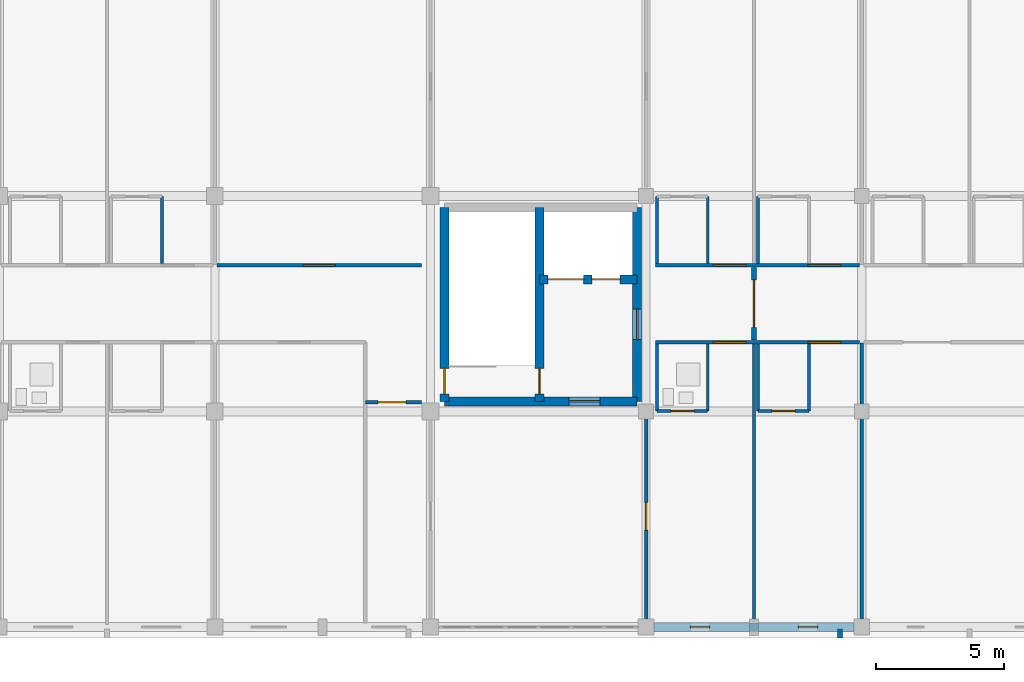
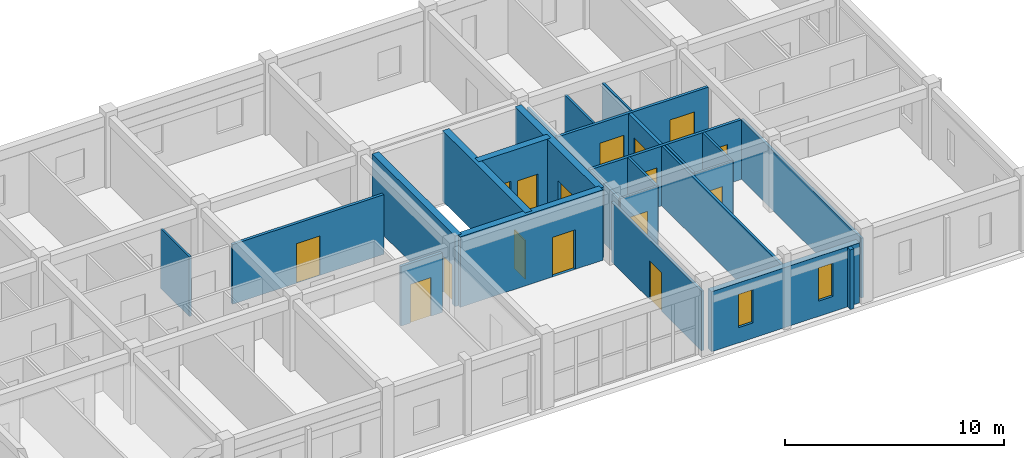
# One storey, part 62 of 81: 25 walls, 16 doors, 2 windows, 18 openings.
"""IFC4 building model written with IfcOpenShell, lengths in metres."""

from ifc_helpers import new_model, si_unit, direction, frame, frame_2d, origin, place, context, subcontext, project, spatial, rectangle, extrude, material, layer, layer_set, type_object, element, fill, save


model = new_model("IFC4")

# Units and contexts
model_context = context("Model", 3, precision=1e-05, world=origin(), true_north=direction((0.0, 1.0)))
body_context = subcontext(model_context, "Body", "Model", "MODEL_VIEW")
ifc_project = project(units=[si_unit("LENGTHUNIT", "METRE"), si_unit("AREAUNIT", "SQUARE_METRE"), si_unit("VOLUMEUNIT", "CUBIC_METRE"), si_unit("PLANEANGLEUNIT", "RADIAN"), si_unit("MASSUNIT", "GRAM", prefix="KILO")], contexts=[model_context])

# Site, building, storey
site_placement = place(None, origin())
site = spatial("IfcSite", under=ifc_project, at=site_placement, CompositionType="ELEMENT")
building_placement = place(site_placement, origin())
building = spatial("IfcBuilding", under=site, at=building_placement, Name="Trelvath General Hospital", CompositionType="ELEMENT")
storey_placement = place(building_placement, frame((0.0, 0.0, 24.60009765625)))
storey = spatial("IfcBuildingStorey", under=building, at=storey_placement, Name="L06", CompositionType="ELEMENT", Elevation=24.60009765625)

# Wall
ifc_material_1 = material(Name="Precast concrete C40/50", Category="concrete")
ifc_layer_1 = layer(ifc_material_1, 0.199951171875)
ifc_layer_set_1 = layer_set([ifc_layer_1], Name="Precast concrete C40/50")
wall_type_1 = type_object("IfcWallType", Name="BriseSoleilRib 200", PredefinedType="ELEMENTEDWALL", material=ifc_layer_set_1)
wall_1_placement = place(storey_placement, frame((108.349609375, -0.074951171875, 0.0), z_axis=(0.0, 0.0, 1.0), x_axis=(0.0, -1.0, 0.0)))
element("IfcWall", 1, at=wall_1_placement, inside=storey, type_object=wall_type_1, Name="Precast Concrete Brise-Soleil Rib Fin L06-441", PredefinedType="ELEMENTEDWALL", context=body_context, shape_type="SweptSolid", body=[
    extrude(rectangle(XDim=0.340087890625, YDim=0.199951171875, at=frame_2d((0.169921875, 0.0))), origin(), (0.0, 0.0, 1.0), 3.31982421875),
])

# Wall, opening, door
ifc_material_2 = material(Name="Gypsum acoustic steel-stud partition", Category="steel")
ifc_layer_2 = layer(ifc_material_2, 0.14990234375)
ifc_layer_set_2 = layer_set([ifc_layer_2], Name="Gypsum acoustic steel-stud partition")
wall_type_2 = type_object("IfcWallType", Name="ClinicalPartition 150", PredefinedType="PARTITIONING", material=ifc_layer_set_2)
wall_2_placement = place(storey_placement, frame((89.860107421875, 8.760009765625, 0.0), z_axis=(0.0, 0.0, 1.0), x_axis=(1.0, 0.0, 0.0)))
wall_2 = element("IfcWall", 2, at=wall_2_placement, inside=storey, type_object=wall_type_2, Name="Clean Utility Partition L06-2122", PredefinedType="PARTITIONING", context=body_context, shape_type="SweptSolid", body=[
    extrude(rectangle(XDim=2.179931640625, YDim=0.14990234375, at=frame_2d((1.08984375, 0.0))), origin(), (0.0, 0.0, 1.0), 3.31982421875),
])
opening_1_placement = place(wall_2_placement, frame((0.5, 0.0, 0.0)))
opening_1 = element("IfcOpeningElement", 3, at=opening_1_placement, cuts=wall_2, Name="Opening D-6-1351", PredefinedType="OPENING", context=body_context, shape_type="SweptSolid", body=[
    extrude(rectangle(XDim=1.080078125, YDim=2.14990234375, at=frame_2d((0.5400390625, 1.074951171875))), frame((0.0, 0.0849609375, 0.0), z_axis=(0.0, -1.0, 0.0), x_axis=(1.0, 0.0, 0.0)), (0.0, 0.0, 1.0), 0.169921875),
])
ifc_material_3 = material(Name="Acoustic hospital timber leaf", Category="wood")
door_type_1 = type_object("IfcDoorType", Name="Door CleanSupply 1080x2150", OperationType="NOTDEFINED", PredefinedType="DOOR", material=ifc_material_3)
door_1_placement = place(opening_1_placement, origin())
door_1 = element("IfcDoor", 4, at=door_1_placement, inside=storey, type_object=door_type_1, Name="Clean Utility Door L06-1351", OperationType="SINGLE_SWING_LEFT", OverallHeight=2.14990234375, OverallWidth=1.080078125, PredefinedType="DOOR", context=body_context, shape_type="SweptSolid", body=[
    extrude(rectangle(XDim=1.080078125, YDim=2.14990234375, at=frame_2d((0.5400390625, 1.074951171875))), frame((0.0, 0.02490234375, 0.0), z_axis=(0.0, -1.0, 0.0), x_axis=(1.0, 0.0, 0.0)), (0.0, 0.0, 1.0), 0.050048828125),
])
fill(opening_1, door_1)

wall_3_placement = place(storey_placement, frame((92.0400390625, 14.10009765625, 0.0), z_axis=(0.0, 0.0, 1.0), x_axis=(-1.0, 0.0, 0.0)))
wall_3 = element("IfcWall", 5, at=wall_3_placement, inside=storey, type_object=wall_type_2, Name="Corridor Partition N L06-2123", PredefinedType="PARTITIONING", context=body_context, shape_type="SweptSolid", body=[
    extrude(rectangle(XDim=7.9599609375, YDim=0.14990234375, at=frame_2d((3.97998046875, 0.0))), origin(), (0.0, 0.0, 1.0), 3.31982421875),
])
opening_2_placement = place(wall_3_placement, frame((3.35498046875, 0.0, 0.0)))
opening_2 = element("IfcOpeningElement", 6, at=opening_2_placement, cuts=wall_3, Name="Opening D-6-1352", PredefinedType="OPENING", context=body_context, shape_type="SweptSolid", body=[
    extrude(rectangle(XDim=1.25, YDim=2.199951171875, at=frame_2d((0.625, 1.10009765625))), frame((0.0, 0.0849609375, 0.0), z_axis=(0.0, -1.0, 0.0), x_axis=(1.0, 0.0, 0.0)), (0.0, 0.0, 1.0), 0.169921875),
])
ifc_material_4 = material(Name="Acoustic hospital timber leaf", Category="wood")
door_type_2 = type_object("IfcDoorType", Name="Door Treatment 1250x2200", OperationType="NOTDEFINED", PredefinedType="DOOR", material=ifc_material_4)
door_2_placement = place(opening_2_placement, origin())
door_2 = element("IfcDoor", 7, at=door_2_placement, inside=storey, type_object=door_type_2, Name="Clinical Room Door L06-1352", OperationType="SINGLE_SWING_RIGHT", OverallHeight=2.199951171875, OverallWidth=1.25, PredefinedType="DOOR", context=body_context, shape_type="SweptSolid", body=[
    extrude(rectangle(XDim=1.25, YDim=2.199951171875, at=frame_2d((0.625, 1.10009765625))), frame((0.0, 0.02490234375, 0.0), z_axis=(0.0, -1.0, 0.0), x_axis=(1.0, 0.0, 0.0)), (0.0, 0.0, 1.0), 0.050048828125),
])
fill(opening_2, door_2)

# Wall, openings, doors
wall_4_placement = place(storey_placement, frame((101.159912109375, 11.10009765625, 0.0), z_axis=(0.0, 0.0, 1.0), x_axis=(1.0, 0.0, 0.0)))
wall_4 = element("IfcWall", 8, at=wall_4_placement, inside=storey, type_object=wall_type_2, Name="Corridor Partition L06-2128", PredefinedType="PARTITIONING", context=body_context, shape_type="SweptSolid", body=[
    extrude(rectangle(XDim=7.960205078125, YDim=0.14990234375, at=frame_2d((3.97998046875, 0.0))), origin(), (0.0, 0.0, 1.0), 3.31982421875),
])
opening_3_placement = place(wall_4_placement, frame((2.25, 0.0, 0.0)))
opening_3 = element("IfcOpeningElement", 9, at=opening_3_placement, cuts=wall_4, Name="Opening D-6-1357", PredefinedType="OPENING", context=body_context, shape_type="SweptSolid", body=[
    extrude(rectangle(XDim=1.280029296875, YDim=2.199951171875, at=frame_2d((0.64013671875, 1.10009765625))), frame((0.0, 0.0849609375, 0.0), z_axis=(0.0, -1.0, 0.0), x_axis=(1.0, 0.0, 0.0)), (0.0, 0.0, 1.0), 0.169921875),
])
opening_4_placement = place(wall_4_placement, frame((5.949951171875, 0.0, 0.0)))
opening_4 = element("IfcOpeningElement", 10, at=opening_4_placement, cuts=wall_4, Name="Opening D-6-1358", PredefinedType="OPENING", context=body_context, shape_type="SweptSolid", body=[
    extrude(rectangle(XDim=1.280029296875, YDim=2.199951171875, at=frame_2d((0.64013671875, 1.10009765625))), frame((0.0, 0.0849609375, 0.0), z_axis=(0.0, -1.0, 0.0), x_axis=(1.0, 0.0, 0.0)), (0.0, 0.0, 1.0), 0.169921875),
])
ifc_material_5 = material(Name="Pediatric ward timber door", Category="wood")
door_type_3 = type_object("IfcDoorType", Name="Door PatientPeds 1280x2200", OperationType="NOTDEFINED", PredefinedType="DOOR", material=ifc_material_5)
door_3_placement = place(opening_3_placement, origin())
door_3 = element("IfcDoor", 11, at=door_3_placement, inside=storey, type_object=door_type_3, Name="Patient Room Door L06-1357", OperationType="SINGLE_SWING_LEFT", OverallHeight=2.199951171875, OverallWidth=1.280029296875, PredefinedType="DOOR", context=body_context, shape_type="SweptSolid", body=[
    extrude(rectangle(XDim=1.280029296875, YDim=2.199951171875, at=frame_2d((0.64013671875, 1.10009765625))), frame((0.0, 0.02490234375, 0.0), z_axis=(0.0, -1.0, 0.0), x_axis=(1.0, 0.0, 0.0)), (0.0, 0.0, 1.0), 0.050048828125),
])
fill(opening_3, door_3)
door_4_placement = place(opening_4_placement, origin())
door_4 = element("IfcDoor", 12, at=door_4_placement, inside=storey, type_object=door_type_3, Name="Patient Room Door L06-1358", OperationType="SINGLE_SWING_RIGHT", OverallHeight=2.199951171875, OverallWidth=1.280029296875, PredefinedType="DOOR", context=body_context, shape_type="SweptSolid", body=[
    extrude(rectangle(XDim=1.280029296875, YDim=2.199951171875, at=frame_2d((0.64013671875, 1.10009765625))), frame((0.0, 0.02490234375, 0.0), z_axis=(0.0, -1.0, 0.0), x_axis=(1.0, 0.0, 0.0)), (0.0, 0.0, 1.0), 0.050048828125),
])
fill(opening_4, door_4)

wall_5_placement = place(storey_placement, frame((109.1201171875, 14.10009765625, 0.0), z_axis=(0.0, 0.0, 1.0), x_axis=(-1.0, 0.0, 0.0)))
wall_5 = element("IfcWall", 13, at=wall_5_placement, inside=storey, type_object=wall_type_2, Name="Corridor Partition N L06-2136", PredefinedType="PARTITIONING", context=body_context, shape_type="SweptSolid", body=[
    extrude(rectangle(XDim=7.960205078125, YDim=0.14990234375, at=frame_2d((3.97998046875, 0.0))), origin(), (0.0, 0.0, 1.0), 3.31982421875),
])
opening_5_placement = place(wall_5_placement, frame((0.72998046875, 0.0, 0.0)))
opening_5 = element("IfcOpeningElement", 14, at=opening_5_placement, cuts=wall_5, Name="Opening D-6-1361", PredefinedType="OPENING", context=body_context, shape_type="SweptSolid", body=[
    extrude(rectangle(XDim=1.280029296875, YDim=2.199951171875, at=frame_2d((0.64013671875, 1.10009765625))), frame((0.0, 0.0849609375, 0.0), z_axis=(0.0, -1.0, 0.0), x_axis=(1.0, 0.0, 0.0)), (0.0, 0.0, 1.0), 0.169921875),
])
opening_6_placement = place(wall_5_placement, frame((4.429931640625, 0.0, 0.0)))
opening_6 = element("IfcOpeningElement", 15, at=opening_6_placement, cuts=wall_5, Name="Opening D-6-1362", PredefinedType="OPENING", context=body_context, shape_type="SweptSolid", body=[
    extrude(rectangle(XDim=1.280029296875, YDim=2.199951171875, at=frame_2d((0.64013671875, 1.10009765625))), frame((0.0, 0.0849609375, 0.0), z_axis=(0.0, -1.0, 0.0), x_axis=(1.0, 0.0, 0.0)), (0.0, 0.0, 1.0), 0.169921875),
])
door_5_placement = place(opening_5_placement, origin())
door_5 = element("IfcDoor", 16, at=door_5_placement, inside=storey, type_object=door_type_3, Name="Patient Room Door N L06-1361", OperationType="SINGLE_SWING_LEFT", OverallHeight=2.199951171875, OverallWidth=1.280029296875, PredefinedType="DOOR", context=body_context, shape_type="SweptSolid", body=[
    extrude(rectangle(XDim=1.280029296875, YDim=2.199951171875, at=frame_2d((0.64013671875, 1.10009765625))), frame((0.0, 0.02490234375, 0.0), z_axis=(0.0, -1.0, 0.0), x_axis=(1.0, 0.0, 0.0)), (0.0, 0.0, 1.0), 0.050048828125),
])
fill(opening_5, door_5)
door_6_placement = place(opening_6_placement, origin())
door_6 = element("IfcDoor", 17, at=door_6_placement, inside=storey, type_object=door_type_3, Name="Patient Room Door N L06-1362", OperationType="SINGLE_SWING_LEFT", OverallHeight=2.199951171875, OverallWidth=1.280029296875, PredefinedType="DOOR", context=body_context, shape_type="SweptSolid", body=[
    extrude(rectangle(XDim=1.280029296875, YDim=2.199951171875, at=frame_2d((0.64013671875, 1.10009765625))), frame((0.0, 0.02490234375, 0.0), z_axis=(0.0, -1.0, 0.0), x_axis=(1.0, 0.0, 0.0)), (0.0, 0.0, 1.0), 0.050048828125),
])
fill(opening_6, door_6)

# Wall, opening, door
ifc_material_6 = material(Name="Concrete C40/50", Category="concrete")
ifc_layer_3 = layer(ifc_material_6, 0.35009765625)
ifc_layer_set_3 = layer_set([ifc_layer_3], Name="Concrete C40/50")
wall_type_3 = type_object("IfcWallType", Name="CoreShearWall 350", PredefinedType="SHEAR", material=ifc_layer_set_3)
wall_6_placement = place(storey_placement, frame((92.949951171875, 8.800048828125, 0.0), z_axis=(0.0, 0.0, 1.0), x_axis=(1.0, 0.0, 0.0)))
wall_6 = element("IfcWall", 18, at=wall_6_placement, inside=storey, type_object=wall_type_3, Name="Core Shear Wall C5 S L06", PredefinedType="SHEAR", context=body_context, shape_type="SweptSolid", body=[
    extrude(rectangle(XDim=7.5, YDim=0.35009765625, at=frame_2d((3.75, 0.0))), origin(), (0.0, 0.0, 1.0), 3.919921875),
])
opening_7_placement = place(wall_6_placement, frame((4.85009765625, 0.0, 0.0)))
opening_7 = element("IfcOpeningElement", 19, at=opening_7_placement, cuts=wall_6, Name="Opening FD-LS56", PredefinedType="OPENING", context=body_context, shape_type="SweptSolid", body=[
    extrude(rectangle(XDim=1.199951171875, YDim=2.199951171875, at=frame_2d((0.60009765625, 1.10009765625))), frame((0.0, 0.18505859375, 0.0), z_axis=(0.0, -1.0, 0.0), x_axis=(1.0, 0.0, 0.0)), (0.0, 0.0, 1.0), 0.3701171875),
])
ifc_material_7 = material(Name="Fire-rated steel door", Category="steel")
door_type_4 = type_object("IfcDoorType", Name="Door FireLobby 1200x2200", OperationType="NOTDEFINED", PredefinedType="DOOR", material=ifc_material_7)
door_7_placement = place(opening_7_placement, origin())
door_7 = element("IfcDoor", 20, at=door_7_placement, inside=storey, type_object=door_type_4, Name="Fire Lobby South Door C5 L06", OperationType="SINGLE_SWING_LEFT", OverallHeight=2.199951171875, OverallWidth=1.199951171875, PredefinedType="DOOR", context=body_context, shape_type="SweptSolid", body=[
    extrude(rectangle(XDim=1.199951171875, YDim=2.199951171875, at=frame_2d((0.60009765625, 1.10009765625))), frame((0.0, 0.02490234375, 0.0), z_axis=(0.0, -1.0, 0.0), x_axis=(1.0, 0.0, 0.0)), (0.0, 0.0, 1.0), 0.050048828125),
])
fill(opening_7, door_7)

wall_7_placement = place(storey_placement, frame((92.949951171875, 8.800048828125, 0.0), z_axis=(0.0, 0.0, 1.0), x_axis=(0.0, 1.0, 0.0)))
wall_7 = element("IfcWall", 21, at=wall_7_placement, inside=storey, type_object=wall_type_3, Name="Core Shear Wall C5 W L06", PredefinedType="SHEAR", context=body_context, shape_type="SweptSolid", body=[
    extrude(rectangle(XDim=7.550048828125, YDim=0.35009765625, at=frame_2d((3.77490234375, 0.0))), origin(), (0.0, 0.0, 1.0), 3.919921875),
])
opening_8_placement = place(wall_7_placement, frame((0.280029296875, 0.0, 0.0)))
opening_8 = element("IfcOpeningElement", 22, at=opening_8_placement, cuts=wall_7, Name="Opening FD-SW56", PredefinedType="OPENING", context=body_context, shape_type="SweptSolid", body=[
    extrude(rectangle(XDim=1.0, YDim=2.14990234375, at=frame_2d((0.5, 1.074951171875))), frame((0.0, 0.18505859375, 0.0), z_axis=(0.0, -1.0, 0.0), x_axis=(1.0, 0.0, 0.0)), (0.0, 0.0, 1.0), 0.3701171875),
])
ifc_material_8 = material(Name="Fire-rated steel door", Category="steel")
door_type_5 = type_object("IfcDoorType", Name="Door FireStair 1100x2150", OperationType="NOTDEFINED", PredefinedType="DOOR", material=ifc_material_8)
door_8_placement = place(opening_8_placement, origin())
door_8 = element("IfcDoor", 23, at=door_8_placement, inside=storey, type_object=door_type_5, Name="West Corridor Stair Door ST5 L06", OperationType="SINGLE_SWING_RIGHT", OverallHeight=2.14990234375, OverallWidth=1.0, PredefinedType="DOOR", context=body_context, shape_type="SweptSolid", body=[
    extrude(rectangle(XDim=1.0, YDim=2.14990234375, at=frame_2d((0.5, 1.074951171875))), frame((0.0, 0.02490234375, 0.0), z_axis=(0.0, -1.0, 0.0), x_axis=(1.0, 0.0, 0.0)), (0.0, 0.0, 1.0), 0.050048828125),
])
fill(opening_8, door_8)

wall_8_placement = place(storey_placement, frame((100.449951171875, 8.800048828125, 0.0), z_axis=(0.0, 0.0, 1.0), x_axis=(0.0, 1.0, 0.0)))
wall_8 = element("IfcWall", 24, at=wall_8_placement, inside=storey, type_object=wall_type_3, Name="Core Shear Wall C5 E L06", PredefinedType="SHEAR", context=body_context, shape_type="SweptSolid", body=[
    extrude(rectangle(XDim=7.550048828125, YDim=0.35009765625, at=frame_2d((3.77490234375, 0.0))), origin(), (0.0, 0.0, 1.0), 3.919921875),
])
opening_9_placement = place(wall_8_placement, frame((2.39990234375, 0.0, 0.0)))
opening_9 = element("IfcOpeningElement", 25, at=opening_9_placement, cuts=wall_8, Name="Opening FD-LE56", PredefinedType="OPENING", context=body_context, shape_type="SweptSolid", body=[
    extrude(rectangle(XDim=1.199951171875, YDim=2.199951171875, at=frame_2d((0.60009765625, 1.10009765625))), frame((0.0, 0.18505859375, 0.0), z_axis=(0.0, -1.0, 0.0), x_axis=(1.0, 0.0, 0.0)), (0.0, 0.0, 1.0), 0.3701171875),
])
door_9_placement = place(opening_9_placement, origin())
door_9 = element("IfcDoor", 26, at=door_9_placement, inside=storey, type_object=door_type_4, Name="Fire Lobby East Corridor Door C5 L06", OperationType="SINGLE_SWING_RIGHT", OverallHeight=2.199951171875, OverallWidth=1.199951171875, PredefinedType="DOOR", context=body_context, shape_type="SweptSolid", body=[
    extrude(rectangle(XDim=1.199951171875, YDim=2.199951171875, at=frame_2d((0.60009765625, 1.10009765625))), frame((0.0, 0.02490234375, 0.0), z_axis=(0.0, -1.0, 0.0), x_axis=(1.0, 0.0, 0.0)), (0.0, 0.0, 1.0), 0.050048828125),
])
fill(opening_9, door_9)

wall_9_placement = place(storey_placement, frame((96.64990234375, 8.800048828125, 0.0), z_axis=(0.0, 0.0, 1.0), x_axis=(0.0, 1.0, 0.0)))
wall_9 = element("IfcWall", 27, at=wall_9_placement, inside=storey, type_object=wall_type_3, Name="Core Shear Wall C5 SPINE L06", PredefinedType="SHEAR", context=body_context, shape_type="SweptSolid", body=[
    extrude(rectangle(XDim=7.550048828125, YDim=0.35009765625, at=frame_2d((3.77490234375, 0.0))), origin(), (0.0, 0.0, 1.0), 3.919921875),
])
opening_10_placement = place(wall_9_placement, frame((0.280029296875, 0.0, 0.0)))
opening_10 = element("IfcOpeningElement", 28, at=opening_10_placement, cuts=wall_9, Name="Opening FD-S56", PredefinedType="OPENING", context=body_context, shape_type="SweptSolid", body=[
    extrude(rectangle(XDim=1.0, YDim=2.14990234375, at=frame_2d((0.5, 1.074951171875))), frame((0.0, 0.18505859375, 0.0), z_axis=(0.0, -1.0, 0.0), x_axis=(1.0, 0.0, 0.0)), (0.0, 0.0, 1.0), 0.3701171875),
])
door_10_placement = place(opening_10_placement, origin())
door_10 = element("IfcDoor", 29, at=door_10_placement, inside=storey, type_object=door_type_5, Name="Exit Stair Door ST5 L06", OperationType="SINGLE_SWING_LEFT", OverallHeight=2.14990234375, OverallWidth=1.0, PredefinedType="DOOR", context=body_context, shape_type="SweptSolid", body=[
    extrude(rectangle(XDim=1.0, YDim=2.14990234375, at=frame_2d((0.5, 1.074951171875))), frame((0.0, 0.02490234375, 0.0), z_axis=(0.0, -1.0, 0.0), x_axis=(1.0, 0.0, 0.0)), (0.0, 0.0, 1.0), 0.050048828125),
])
fill(opening_10, door_10)

# Wall, openings, doors
wall_10_placement = place(storey_placement, frame((96.64990234375, 13.550048828125, 0.0), z_axis=(0.0, 0.0, 1.0), x_axis=(1.0, 0.0, 0.0)))
wall_10 = element("IfcWall", 30, at=wall_10_placement, inside=storey, type_object=wall_type_3, Name="Core Shear Wall C5 SHAFT L06", PredefinedType="SHEAR", context=body_context, shape_type="SweptSolid", body=[
    extrude(rectangle(XDim=3.800048828125, YDim=0.35009765625, at=frame_2d((1.89990234375, 0.0))), origin(), (0.0, 0.0, 1.0), 3.919921875),
])
opening_11_placement = place(wall_10_placement, frame((0.320068359375, 0.0, 0.0)))
opening_11 = element("IfcOpeningElement", 31, at=opening_11_placement, cuts=wall_10, Name="Opening LD-BD4-6", PredefinedType="OPENING", context=body_context, shape_type="SweptSolid", body=[
    extrude(rectangle(XDim=1.39990234375, YDim=2.25, at=frame_2d((0.699951171875, 1.125))), frame((0.0, 0.18505859375, 0.0), z_axis=(0.0, -1.0, 0.0), x_axis=(1.0, 0.0, 0.0)), (0.0, 0.0, 1.0), 0.3701171875),
])
opening_12_placement = place(wall_10_placement, frame((2.0400390625, 0.0, 0.0)))
opening_12 = element("IfcOpeningElement", 32, at=opening_12_placement, cuts=wall_10, Name="Opening LD-PA2-6", PredefinedType="OPENING", context=body_context, shape_type="SweptSolid", body=[
    extrude(rectangle(XDim=1.10009765625, YDim=2.14990234375, at=frame_2d((0.550048828125, 1.074951171875))), frame((0.0, 0.18505859375, 0.0), z_axis=(0.0, -1.0, 0.0), x_axis=(1.0, 0.0, 0.0)), (0.0, 0.0, 1.0), 0.3701171875),
])
ifc_material_9 = material(Name="Stainless steel stretcher lift landing door", Category="steel")
door_type_6 = type_object("IfcDoorType", Name="Door LiftBed 1400x2250", OperationType="SLIDING_TO_LEFT", PredefinedType="DOOR", material=ifc_material_9)
door_11_placement = place(opening_11_placement, origin())
door_11 = element("IfcDoor", 33, at=door_11_placement, inside=storey, type_object=door_type_6, Name="Lift Landing Sliding Door LF-BD4 L06", OperationType="SLIDING_TO_LEFT", OverallHeight=2.25, OverallWidth=1.39990234375, PredefinedType="DOOR", context=body_context, shape_type="SweptSolid", body=[
    extrude(rectangle(XDim=1.39990234375, YDim=2.25, at=frame_2d((0.699951171875, 1.125))), frame((0.0, 0.02490234375, 0.0), z_axis=(0.0, -1.0, 0.0), x_axis=(1.0, 0.0, 0.0)), (0.0, 0.0, 1.0), 0.050048828125),
])
fill(opening_11, door_11)
ifc_material_10 = material(Name="Stainless steel lift landing sliding door", Category="steel")
door_type_7 = type_object("IfcDoorType", Name="Door LiftLanding 1100x2150", OperationType="SLIDING_TO_LEFT", PredefinedType="DOOR", material=ifc_material_10)
door_12_placement = place(opening_12_placement, origin())
door_12 = element("IfcDoor", 34, at=door_12_placement, inside=storey, type_object=door_type_7, Name="Lift Landing Sliding Door LF-PA2 L06", OperationType="SLIDING_TO_LEFT", OverallHeight=2.14990234375, OverallWidth=1.10009765625, PredefinedType="DOOR", context=body_context, shape_type="SweptSolid", body=[
    extrude(rectangle(XDim=1.10009765625, YDim=2.14990234375, at=frame_2d((0.550048828125, 1.074951171875))), frame((0.0, 0.02490234375, 0.0), z_axis=(0.0, -1.0, 0.0), x_axis=(1.0, 0.0, 0.0)), (0.0, 0.0, 1.0), 0.050048828125),
])
fill(opening_12, door_12)

# Walls
ifc_material_11 = material(Name="Moisture-resistant tile partition")
ifc_layer_4 = layer(ifc_material_11, 0.110107421875)
ifc_layer_set_4 = layer_set([ifc_layer_4], Name="Moisture-resistant tile partition")
wall_type_4 = type_object("IfcWallType", Name="EnSuiteWetWall 110", PredefinedType="PARTITIONING", material=ifc_layer_set_4)
for number, where, z_axis, x_axis, name in (
    (35, (81.93994140625, 14.169921875, 0.0), (0.0, 0.0, 1.0), (0.0, 1.0, 0.0), "En-Suite E Wall N L06-2116"),
    (36, (101.219970703125, 8.419921875, 0.0), (0.0, 0.0, 1.0), (0.0, 1.0, 0.0), "En-Suite W Wall L06-2130"),
    (37, (103.199951171875, 8.419921875, 0.0), (0.0, 0.0, 1.0), (0.0, 1.0, 0.0), "En-Suite E Wall L06-2131"),
):
    element("IfcWall", number, at=place(storey_placement, frame(where, z_axis=z_axis, x_axis=x_axis)), inside=storey, type_object=wall_type_4, Name=name, PredefinedType="PARTITIONING", context=body_context, shape_type="SweptSolid", body=[
        extrude(rectangle(XDim=2.610107421875, YDim=0.110107421875, at=frame_2d((1.30517578125, 0.0))), origin(), (0.0, 0.0, 1.0), 3.31982421875),
    ])

# Wall, opening, door
wall_11_placement = place(storey_placement, frame((101.219970703125, 8.419921875, 0.0), z_axis=(0.0, 0.0, 1.0), x_axis=(1.0, 0.0, 0.0)))
wall_11 = element("IfcWall", 38, at=wall_11_placement, inside=storey, type_object=wall_type_4, Name="En-Suite Bathroom Partition L06-2132", PredefinedType="PARTITIONING", context=body_context, shape_type="SweptSolid", body=[
    extrude(rectangle(XDim=1.97998046875, YDim=0.110107421875, at=frame_2d((0.989990234375, 0.0))), origin(), (0.0, 0.0, 1.0), 3.31982421875),
])
opening_13_placement = place(wall_11_placement, frame((0.5400390625, 0.0, 0.0)))
opening_13 = element("IfcOpeningElement", 39, at=opening_13_placement, cuts=wall_11, Name="Opening D-6-1359", PredefinedType="OPENING", context=body_context, shape_type="SweptSolid", body=[
    extrude(rectangle(XDim=0.89990234375, YDim=2.10009765625, at=frame_2d((0.449951171875, 1.050048828125))), frame((0.0, 0.06494140625, 0.0), z_axis=(0.0, -1.0, 0.0), x_axis=(1.0, 0.0, 0.0)), (0.0, 0.0, 1.0), 0.130126953125),
])
ifc_material_12 = material(Name="Moisture-sealed timber leaf", Category="wood")
door_type_8 = type_object("IfcDoorType", Name="Door EnSuite 900x2100", OperationType="NOTDEFINED", PredefinedType="DOOR", material=ifc_material_12)
door_13_placement = place(opening_13_placement, origin())
door_13 = element("IfcDoor", 40, at=door_13_placement, inside=storey, type_object=door_type_8, Name="En-Suite Bathroom Door L06-1359", OperationType="SINGLE_SWING_LEFT", OverallHeight=2.10009765625, OverallWidth=0.89990234375, PredefinedType="DOOR", context=body_context, shape_type="SweptSolid", body=[
    extrude(rectangle(XDim=0.89990234375, YDim=2.10009765625, at=frame_2d((0.449951171875, 1.050048828125))), frame((0.0, 0.02490234375, 0.0), z_axis=(0.0, -1.0, 0.0), x_axis=(1.0, 0.0, 0.0)), (0.0, 0.0, 1.0), 0.050048828125),
])
fill(opening_13, door_13)

# Walls
for number, where, z_axis, x_axis, name in (
    (41, (105.159912109375, 8.419921875, 0.0), (0.0, 0.0, 1.0), (0.0, 1.0, 0.0), "En-Suite W Wall L06-2133"),
    (42, (107.139892578125, 8.419921875, 0.0), (0.0, 0.0, 1.0), (0.0, 1.0, 0.0), "En-Suite E Wall L06-2134"),
):
    element("IfcWall", number, at=place(storey_placement, frame(where, z_axis=z_axis, x_axis=x_axis)), inside=storey, type_object=wall_type_4, Name=name, PredefinedType="PARTITIONING", context=body_context, shape_type="SweptSolid", body=[
        extrude(rectangle(XDim=2.610107421875, YDim=0.110107421875, at=frame_2d((1.30517578125, 0.0))), origin(), (0.0, 0.0, 1.0), 3.31982421875),
    ])

# Wall, opening, door
wall_12_placement = place(storey_placement, frame((105.159912109375, 8.419921875, 0.0), z_axis=(0.0, 0.0, 1.0), x_axis=(1.0, 0.0, 0.0)))
wall_12 = element("IfcWall", 43, at=wall_12_placement, inside=storey, type_object=wall_type_4, Name="En-Suite Bathroom Partition L06-2135", PredefinedType="PARTITIONING", context=body_context, shape_type="SweptSolid", body=[
    extrude(rectangle(XDim=1.97998046875, YDim=0.110107421875, at=frame_2d((0.989990234375, 0.0))), origin(), (0.0, 0.0, 1.0), 3.31982421875),
])
opening_14_placement = place(wall_12_placement, frame((0.5400390625, 0.0, 0.0)))
opening_14 = element("IfcOpeningElement", 44, at=opening_14_placement, cuts=wall_12, Name="Opening D-6-1360", PredefinedType="OPENING", context=body_context, shape_type="SweptSolid", body=[
    extrude(rectangle(XDim=0.89990234375, YDim=2.10009765625, at=frame_2d((0.449951171875, 1.050048828125))), frame((0.0, 0.06494140625, 0.0), z_axis=(0.0, -1.0, 0.0), x_axis=(1.0, 0.0, 0.0)), (0.0, 0.0, 1.0), 0.130126953125),
])
door_14_placement = place(opening_14_placement, origin())
door_14 = element("IfcDoor", 45, at=door_14_placement, inside=storey, type_object=door_type_8, Name="En-Suite Bathroom Door L06-1360", OperationType="SINGLE_SWING_RIGHT", OverallHeight=2.10009765625, OverallWidth=0.89990234375, PredefinedType="DOOR", context=body_context, shape_type="SweptSolid", body=[
    extrude(rectangle(XDim=0.89990234375, YDim=2.10009765625, at=frame_2d((0.449951171875, 1.050048828125))), frame((0.0, 0.02490234375, 0.0), z_axis=(0.0, -1.0, 0.0), x_axis=(1.0, 0.0, 0.0)), (0.0, 0.0, 1.0), 0.050048828125),
])
fill(opening_14, door_14)

# Walls
for number, where, z_axis, x_axis, name in (
    (46, (101.219970703125, 14.169921875, 0.0), (0.0, 0.0, 1.0), (0.0, 1.0, 0.0), "En-Suite W Wall N L06-2138"),
    (47, (103.199951171875, 14.169921875, 0.0), (0.0, 0.0, 1.0), (0.0, 1.0, 0.0), "En-Suite E Wall N L06-2139"),
    (48, (105.159912109375, 14.169921875, 0.0), (0.0, 0.0, 1.0), (0.0, 1.0, 0.0), "En-Suite W Wall N L06-2141"),
):
    element("IfcWall", number, at=place(storey_placement, frame(where, z_axis=z_axis, x_axis=x_axis)), inside=storey, type_object=wall_type_4, Name=name, PredefinedType="PARTITIONING", context=body_context, shape_type="SweptSolid", body=[
        extrude(rectangle(XDim=2.610107421875, YDim=0.110107421875, at=frame_2d((1.30517578125, 0.0))), origin(), (0.0, 0.0, 1.0), 3.31982421875),
    ])

# Wall, openings, windows
ifc_material_13 = material(Name="Concrete C35/45", Category="concrete")
ifc_layer_5 = layer(ifc_material_13, 0.320068359375)
ifc_layer_set_5 = layer_set([ifc_layer_5], Name="Concrete C35/45")
wall_type_5 = type_object("IfcWallType", Name="ExtThermalWall 320", PredefinedType="SOLIDWALL", material=ifc_layer_set_5)
wall_13_placement = place(storey_placement, frame((108.89501953125, 0.0, 0.0), z_axis=(0.0, 0.0, 1.0), x_axis=(-1.0, 0.0, 0.0)))
wall_13 = element("IfcWall", 49, at=wall_13_placement, inside=storey, type_object=wall_type_5, Name="Exterior Concrete Wall L06-590", PredefinedType="SOLIDWALL", context=body_context, shape_type="SweptSolid", body=[
    extrude(rectangle(XDim=7.7900390625, YDim=0.320068359375, at=frame_2d((3.89501953125, 0.0))), origin(), (0.0, 0.0, 1.0), 3.33984375),
])
opening_15_placement = place(wall_13_placement, frame((1.416748046875, 0.0, 0.85009765625)))
opening_15 = element("IfcOpeningElement", 50, at=opening_15_placement, cuts=wall_13, Name="Opening WN-6-987", PredefinedType="OPENING", context=body_context, shape_type="SweptSolid", body=[
    extrude(rectangle(XDim=0.75, YDim=1.85009765625, at=frame_2d((0.375, 0.925048828125))), frame((0.0, 0.169921875, 0.0), z_axis=(0.0, -1.0, 0.0), x_axis=(1.0, 0.0, 0.0)), (0.0, 0.0, 1.0), 0.340087890625),
])
opening_16_placement = place(wall_13_placement, frame((5.623291015625, 0.0, 0.85009765625)))
opening_16 = element("IfcOpeningElement", 51, at=opening_16_placement, cuts=wall_13, Name="Opening WN-6-988", PredefinedType="OPENING", context=body_context, shape_type="SweptSolid", body=[
    extrude(rectangle(XDim=0.75, YDim=1.85009765625, at=frame_2d((0.375, 0.925048828125))), frame((0.0, 0.169921875, 0.0), z_axis=(0.0, -1.0, 0.0), x_axis=(1.0, 0.0, 0.0)), (0.0, 0.0, 1.0), 0.340087890625),
])
ifc_material_14 = material(Name="Low-E laminated glass", Category="glass")
window_type = type_object("IfcWindowType", Name="Window SunSlot 750x1850", PartitioningType="SINGLE_PANEL", PredefinedType="WINDOW", material=ifc_material_14)
window_1_placement = place(opening_15_placement, origin())
window_1 = element("IfcWindow", 52, at=window_1_placement, inside=storey, type_object=window_type, Name="Solar Reveal Window L06-987", OverallHeight=1.85009765625, OverallWidth=0.75, PartitioningType="SINGLE_PANEL", PredefinedType="WINDOW", context=body_context, shape_type="SweptSolid", body=[
    extrude(rectangle(XDim=0.75, YDim=1.85009765625, at=frame_2d((0.375, 0.925048828125))), frame((0.0, 0.030029296875, 0.0), z_axis=(0.0, -1.0, 0.0), x_axis=(1.0, 0.0, 0.0)), (0.0, 0.0, 1.0), 0.06005859375),
])
fill(opening_15, window_1)
window_2_placement = place(opening_16_placement, origin())
window_2 = element("IfcWindow", 53, at=window_2_placement, inside=storey, type_object=window_type, Name="Solar Reveal Window L06-988", OverallHeight=1.85009765625, OverallWidth=0.75, PartitioningType="SINGLE_PANEL", PredefinedType="WINDOW", context=body_context, shape_type="SweptSolid", body=[
    extrude(rectangle(XDim=0.75, YDim=1.85009765625, at=frame_2d((0.375, 0.925048828125))), frame((0.0, 0.030029296875, 0.0), z_axis=(0.0, -1.0, 0.0), x_axis=(1.0, 0.0, 0.0)), (0.0, 0.0, 1.0), 0.06005859375),
])
fill(opening_16, window_2)

# Wall, opening, door
ifc_material_15 = material(Name="Masonry fire blockwork", Category="masonry")
ifc_layer_6 = layer(ifc_material_15, 0.179931640625)
ifc_layer_set_6 = layer_set([ifc_layer_6], Name="Masonry fire blockwork")
wall_type_6 = type_object("IfcWallType", Name="SmokeBarrierWall 180", PredefinedType="PARTITIONING", material=ifc_layer_set_6)
wall_14_placement = place(storey_placement, frame((105.0, 11.179931640625, 0.0), z_axis=(0.0, 0.0, 1.0), x_axis=(0.0, 1.0, 0.0)))
wall_14 = element("IfcWall", 54, at=wall_14_placement, inside=storey, type_object=wall_type_6, Name="Smoke Compartment Barrier L06-2144", PredefinedType="PARTITIONING", context=body_context, shape_type="SweptSolid", body=[
    extrude(rectangle(XDim=2.840087890625, YDim=0.179931640625, at=frame_2d((1.419921875, 0.0))), origin(), (0.0, 0.0, 1.0), 3.31982421875),
])
opening_17_placement = place(wall_14_placement, frame((0.4951171875, 0.0, 0.0)))
opening_17 = element("IfcOpeningElement", 55, at=opening_17_placement, cuts=wall_14, Name="Opening SD-6-1365", PredefinedType="OPENING", context=body_context, shape_type="SweptSolid", body=[
    extrude(rectangle(XDim=1.85009765625, YDim=2.300048828125, at=frame_2d((0.925048828125, 1.14990234375))), frame((0.0, 0.099853515625, 0.0), z_axis=(0.0, -1.0, 0.0), x_axis=(1.0, 0.0, 0.0)), (0.0, 0.0, 1.0), 0.199951171875),
])
ifc_material_16 = material(Name="Fire-rated steel cross-corridor pair", Category="steel")
door_type_9 = type_object("IfcDoorType", Name="Door SmokeCross 1850x2300", OperationType="DOUBLE_SWING_LEFT", PredefinedType="DOOR", material=ifc_material_16)
door_15_placement = place(opening_17_placement, origin())
door_15 = element("IfcDoor", 56, at=door_15_placement, inside=storey, type_object=door_type_9, Name="Cross-Corridor Smoke Door L06-1365", OperationType="SLIDING_TO_LEFT", OverallHeight=2.300048828125, OverallWidth=1.85009765625, PredefinedType="DOOR", context=body_context, shape_type="SweptSolid", body=[
    extrude(rectangle(XDim=1.85009765625, YDim=2.300048828125, at=frame_2d((0.925048828125, 1.14990234375))), frame((0.0, 0.02490234375, 0.0), z_axis=(0.0, -1.0, 0.0), x_axis=(1.0, 0.0, 0.0)), (0.0, 0.0, 1.0), 0.050048828125),
])
fill(opening_17, door_15)

ifc_material_17 = material(Name="Gypsum acoustic steel-stud partition", Category="steel")
ifc_layer_7 = layer(ifc_material_17, 0.1298828125)
ifc_layer_set_7 = layer_set([ifc_layer_7], Name="Gypsum acoustic steel-stud partition")
wall_type_7 = type_object("IfcWallType", Name="WardPartition 130", PredefinedType="PARTITIONING", material=ifc_layer_set_7)
wall_15_placement = place(storey_placement, frame((100.800048828125, 0.139892578125, 0.0), z_axis=(0.0, 0.0, 1.0), x_axis=(0.0, 1.0, 0.0)))
wall_15 = element("IfcWall", 57, at=wall_15_placement, inside=storey, type_object=wall_type_7, Name="Inter-Bay Ward Partition S L06-2126", PredefinedType="PARTITIONING", context=body_context, shape_type="SweptSolid", body=[
    extrude(rectangle(XDim=8.210205078125, YDim=0.1298828125, at=frame_2d((4.10498046875, 0.0))), origin(), (0.0, 0.0, 1.0), 3.31982421875),
])
opening_18_placement = place(wall_15_placement, frame((3.639892578125, 0.0, 0.0)))
opening_18 = element("IfcOpeningElement", 58, at=opening_18_placement, cuts=wall_15, Name="Opening D-6-1355", PredefinedType="OPENING", context=body_context, shape_type="SweptSolid", body=[
    extrude(rectangle(XDim=1.080078125, YDim=2.14990234375, at=frame_2d((0.5400390625, 1.074951171875))), frame((0.0, 0.074951171875, 0.0), z_axis=(0.0, -1.0, 0.0), x_axis=(1.0, 0.0, 0.0)), (0.0, 0.0, 1.0), 0.14990234375),
])
door_16_placement = place(opening_18_placement, origin())
door_16 = element("IfcDoor", 59, at=door_16_placement, inside=storey, type_object=door_type_1, Name="Clean Supply Connecting Door L06-1355", OperationType="SINGLE_SWING_LEFT", OverallHeight=2.14990234375, OverallWidth=1.080078125, PredefinedType="DOOR", context=body_context, shape_type="SweptSolid", body=[
    extrude(rectangle(XDim=1.080078125, YDim=2.14990234375, at=frame_2d((0.5400390625, 1.074951171875))), frame((0.0, 0.02490234375, 0.0), z_axis=(0.0, -1.0, 0.0), x_axis=(1.0, 0.0, 0.0)), (0.0, 0.0, 1.0), 0.050048828125),
])
fill(opening_18, door_16)

# Walls
wall_16_placement = place(storey_placement, frame((105.0, 0.10009765625, 0.0), z_axis=(0.0, 0.0, 1.0), x_axis=(0.0, 1.0, 0.0)))
element("IfcWall", 60, at=wall_16_placement, inside=storey, type_object=wall_type_7, Name="Room Dividing Partition S L06-2129", PredefinedType="PARTITIONING", context=body_context, shape_type="SweptSolid", body=[
    extrude(rectangle(XDim=10.929931640625, YDim=0.1298828125, at=frame_2d((5.46484375, 0.0))), origin(), (0.0, 0.0, 1.0), 3.31982421875),
])
wall_17_placement = place(storey_placement, frame((109.199951171875, 0.139892578125, 0.0), z_axis=(0.0, 0.0, 1.0), x_axis=(0.0, 1.0, 0.0)))
element("IfcWall", 61, at=wall_17_placement, inside=storey, type_object=wall_type_7, Name="Inter-Bay Ward Partition S L06-2145", PredefinedType="PARTITIONING", context=body_context, shape_type="SweptSolid", body=[
    extrude(rectangle(XDim=10.940185546875, YDim=0.1298828125, at=frame_2d((5.47021484375, 0.0))), origin(), (0.0, 0.0, 1.0), 3.31982421875),
])

save(model, "model.ifc")
